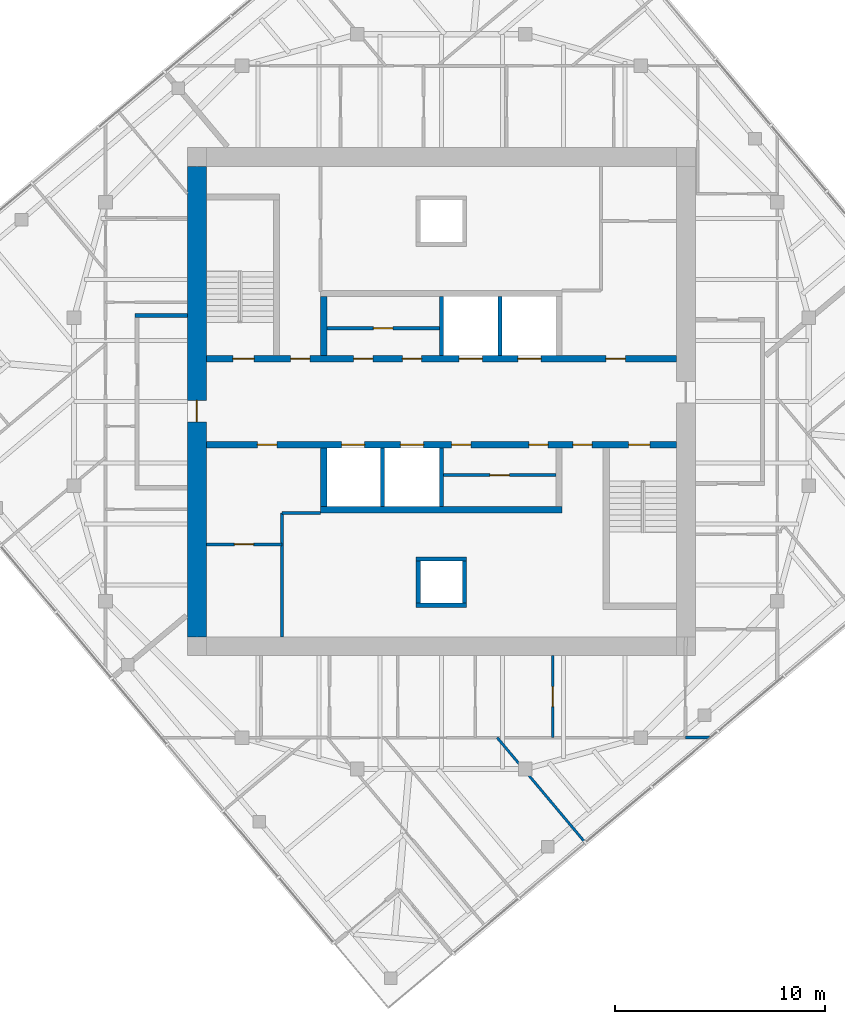
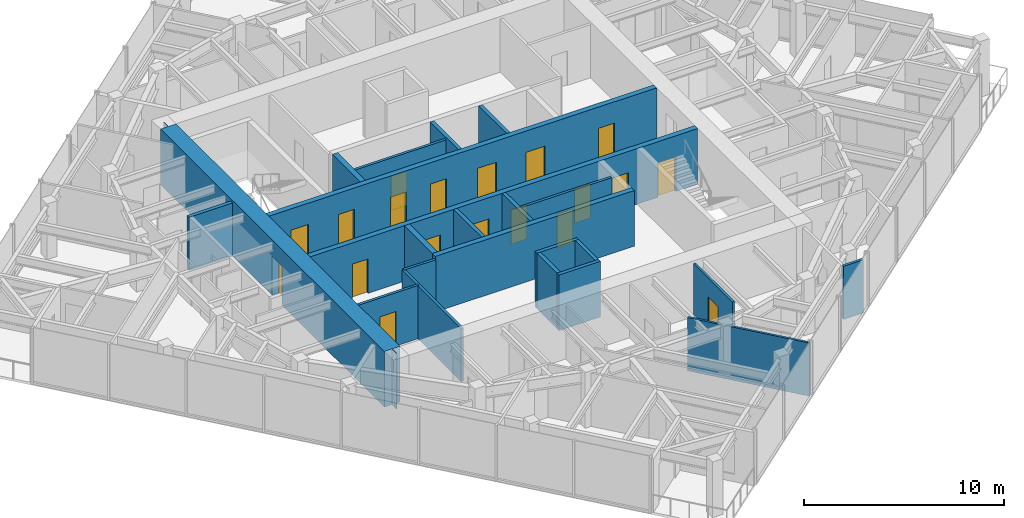
# One storey, part 8 of 12: 23 walls, 19 doors, 19 openings.
"""IFC4 building model written with IfcOpenShell, lengths in metres."""

from ifc_helpers import new_model, si_unit, direction, frame, frame_2d, origin, place, context, subcontext, project, spatial, polyline, rectangle, outline, extrude, material, layer, layer_set, type_object, element, fill, save


model = new_model("IFC4")

# Units and contexts
model_context = context("Model", 3, precision=1e-05, world=origin(), true_north=direction((0.0, 1.0)))
body_context = subcontext(model_context, "Body", "Model", "MODEL_VIEW")
ifc_project = project(units=[si_unit("LENGTHUNIT", "METRE"), si_unit("AREAUNIT", "SQUARE_METRE"), si_unit("VOLUMEUNIT", "CUBIC_METRE"), si_unit("PLANEANGLEUNIT", "RADIAN"), si_unit("MASSUNIT", "GRAM", prefix="KILO")], contexts=[model_context])

# Site, building, storey
site_placement = place(None, origin())
site = spatial("IfcSite", under=ifc_project, at=site_placement, CompositionType="ELEMENT")
building_placement = place(site_placement, origin())
building = spatial("IfcBuilding", under=site, at=building_placement, Name="Torsade Residences", CompositionType="ELEMENT")
storey_placement = place(building_placement, frame((0.0, 0.0, 289.60009765625)))
storey = spatial("IfcBuildingStorey", under=building, at=storey_placement, Name="L80", CompositionType="ELEMENT", Elevation=289.60009765625)

# Wall, openings, doors
ifc_material_1 = material(Name="Concrete 80 MPa", Category="concrete")
ifc_layer_1 = layer(ifc_material_1, 0.300048828125)
ifc_layer_set_1 = layer_set([ifc_layer_1], Name="Concrete 80 MPa")
wall_type_1 = type_object("IfcWallType", Name="CORE INTERNAL WALL 300", PredefinedType="SHEAR", material=ifc_layer_set_1)
wall_1_placement = place(storey_placement, frame((28.800048828125, 32.050048828125, 0.0), z_axis=(0.0, 0.0, 1.0), x_axis=(1.0, 0.0, 0.0)))
wall_1 = element("IfcWall", 1, at=wall_1_placement, inside=storey, type_object=wall_type_1, Name="Core wall LN L80", PredefinedType="SHEAR", context=body_context, shape_type="SweptSolid", body=[
    extrude(rectangle(XDim=22.39990234375, YDim=0.300048828125, at=frame_2d((11.199951171875, 0.0))), origin(), (0.0, 0.0, 1.0), 3.39990234375),
])
opening_1_placement = place(wall_1_placement, frame((19.0400390625, 0.0, 0.0)))
opening_1 = element("IfcOpeningElement", 2, at=opening_1_placement, cuts=wall_1, Name="Opening D06", PredefinedType="OPENING", context=body_context, shape_type="SweptSolid", body=[
    extrude(rectangle(XDim=0.919921875, YDim=2.10009765625, at=frame_2d((0.4599609375, 1.050048828125))), frame((0.0, 0.159912109375, 0.0), z_axis=(0.0, -1.0, 0.0), x_axis=(1.0, 0.0, 0.0)), (0.0, 0.0, 1.0), 0.320068359375),
])
opening_2_placement = place(wall_1_placement, frame((1.264892578125, 0.0, 0.0)))
opening_2 = element("IfcOpeningElement", 3, at=opening_2_placement, cuts=wall_1, Name="Opening D03", PredefinedType="OPENING", context=body_context, shape_type="SweptSolid", body=[
    extrude(rectangle(XDim=1.02001953125, YDim=2.10009765625, at=frame_2d((0.510009765625, 1.050048828125))), frame((0.0, 0.159912109375, 0.0), z_axis=(0.0, -1.0, 0.0), x_axis=(1.0, 0.0, 0.0)), (0.0, 0.0, 1.0), 0.320068359375),
])
opening_3_placement = place(wall_1_placement, frame((4.014892578125, 0.0, 0.0)))
opening_3 = element("IfcOpeningElement", 4, at=opening_3_placement, cuts=wall_1, Name="Opening D06", PredefinedType="OPENING", context=body_context, shape_type="SweptSolid", body=[
    extrude(rectangle(XDim=0.919921875, YDim=2.10009765625, at=frame_2d((0.4599609375, 1.050048828125))), frame((0.0, 0.159912109375, 0.0), z_axis=(0.0, -1.0, 0.0), x_axis=(1.0, 0.0, 0.0)), (0.0, 0.0, 1.0), 0.320068359375),
])
opening_4_placement = place(wall_1_placement, frame((7.014892578125, 0.0, 0.0)))
opening_4 = element("IfcOpeningElement", 5, at=opening_4_placement, cuts=wall_1, Name="Opening D06", PredefinedType="OPENING", context=body_context, shape_type="SweptSolid", body=[
    extrude(rectangle(XDim=0.919921875, YDim=2.10009765625, at=frame_2d((0.4599609375, 1.050048828125))), frame((0.0, 0.159912109375, 0.0), z_axis=(0.0, -1.0, 0.0), x_axis=(1.0, 0.0, 0.0)), (0.0, 0.0, 1.0), 0.320068359375),
])
opening_5_placement = place(wall_1_placement, frame((9.340087890625, 0.0, 0.0)))
opening_5 = element("IfcOpeningElement", 6, at=opening_5_placement, cuts=wall_1, Name="Opening D06", PredefinedType="OPENING", context=body_context, shape_type="SweptSolid", body=[
    extrude(rectangle(XDim=0.919921875, YDim=2.10009765625, at=frame_2d((0.4599609375, 1.050048828125))), frame((0.0, 0.159912109375, 0.0), z_axis=(0.0, -1.0, 0.0), x_axis=(1.0, 0.0, 0.0)), (0.0, 0.0, 1.0), 0.320068359375),
])
opening_6_placement = place(wall_1_placement, frame((12.050048828125, 0.0, 0.0)))
opening_6 = element("IfcOpeningElement", 7, at=opening_6_placement, cuts=wall_1, Name="Opening LD", PredefinedType="OPENING", context=body_context, shape_type="SweptSolid", body=[
    extrude(rectangle(XDim=1.10009765625, YDim=2.10009765625, at=frame_2d((0.550048828125, 1.050048828125))), frame((0.0, 0.159912109375, 0.0), z_axis=(0.0, -1.0, 0.0), x_axis=(1.0, 0.0, 0.0)), (0.0, 0.0, 1.0), 0.320068359375),
])
opening_7_placement = place(wall_1_placement, frame((14.85009765625, 0.0, 0.0)))
opening_7 = element("IfcOpeningElement", 8, at=opening_7_placement, cuts=wall_1, Name="Opening LD", PredefinedType="OPENING", context=body_context, shape_type="SweptSolid", body=[
    extrude(rectangle(XDim=1.10009765625, YDim=2.10009765625, at=frame_2d((0.550048828125, 1.050048828125))), frame((0.0, 0.159912109375, 0.0), z_axis=(0.0, -1.0, 0.0), x_axis=(1.0, 0.0, 0.0)), (0.0, 0.0, 1.0), 0.320068359375),
])
ifc_material_2 = material(Name="Steel-framed fire door", Category="steel")
door_type_1 = type_object("IfcDoorType", Name="FIRE DOOR 1020", OperationType="NOTDEFINED", PredefinedType="DOOR", material=ifc_material_2)
door_1_placement = place(opening_2_placement, origin())
door_1 = element("IfcDoor", 9, at=door_1_placement, inside=storey, type_object=door_type_1, Name="Exit door to fire-isolated stair ST1 L80", OperationType="SINGLE_SWING_RIGHT", OverallHeight=2.10009765625, OverallWidth=1.02001953125, PredefinedType="DOOR", context=body_context, shape_type="SweptSolid", body=[
    extrude(rectangle(XDim=1.02001953125, YDim=2.10009765625, at=frame_2d((0.510009765625, 1.050048828125))), frame((0.0, 0.02490234375, 0.0), z_axis=(0.0, -1.0, 0.0), x_axis=(1.0, 0.0, 0.0)), (0.0, 0.0, 1.0), 0.050048828125),
])
fill(opening_2, door_1)
ifc_material_3 = material(Name="Steel-framed fire door", Category="steel")
door_type_2 = type_object("IfcDoorType", Name="FIRE DOOR 920", OperationType="NOTDEFINED", PredefinedType="DOOR", material=ifc_material_3)
door_2_placement = place(opening_1_placement, origin())
door_2 = element("IfcDoor", 10, at=door_2_placement, inside=storey, type_object=door_type_2, Name="Door Lift lobby to Refuse room", OperationType="SINGLE_SWING_LEFT", OverallHeight=2.10009765625, OverallWidth=0.919921875, PredefinedType="DOOR", context=body_context, shape_type="SweptSolid", body=[
    extrude(rectangle(XDim=0.919921875, YDim=2.10009765625, at=frame_2d((0.4599609375, 1.050048828125))), frame((0.0, 0.02490234375, 0.0), z_axis=(0.0, -1.0, 0.0), x_axis=(1.0, 0.0, 0.0)), (0.0, 0.0, 1.0), 0.050048828125),
])
fill(opening_1, door_2)
door_3_placement = place(opening_3_placement, origin())
door_3 = element("IfcDoor", 11, at=door_3_placement, inside=storey, type_object=door_type_2, Name="Door Lift lobby to Meter store", OperationType="SINGLE_SWING_LEFT", OverallHeight=2.10009765625, OverallWidth=0.919921875, PredefinedType="DOOR", context=body_context, shape_type="SweptSolid", body=[
    extrude(rectangle(XDim=0.919921875, YDim=2.10009765625, at=frame_2d((0.4599609375, 1.050048828125))), frame((0.0, 0.02490234375, 0.0), z_axis=(0.0, -1.0, 0.0), x_axis=(1.0, 0.0, 0.0)), (0.0, 0.0, 1.0), 0.050048828125),
])
fill(opening_3, door_3)
door_4_placement = place(opening_4_placement, origin())
door_4 = element("IfcDoor", 12, at=door_4_placement, inside=storey, type_object=door_type_2, Name="Door Lift lobby to Communications room L80A", OperationType="SINGLE_SWING_RIGHT", OverallHeight=2.10009765625, OverallWidth=0.919921875, PredefinedType="DOOR", context=body_context, shape_type="SweptSolid", body=[
    extrude(rectangle(XDim=0.919921875, YDim=2.10009765625, at=frame_2d((0.4599609375, 1.050048828125))), frame((0.0, 0.02490234375, 0.0), z_axis=(0.0, -1.0, 0.0), x_axis=(1.0, 0.0, 0.0)), (0.0, 0.0, 1.0), 0.050048828125),
])
fill(opening_4, door_4)
door_5_placement = place(opening_5_placement, origin())
door_5 = element("IfcDoor", 13, at=door_5_placement, inside=storey, type_object=door_type_2, Name="Door Lift lobby to Communications room L80A", OperationType="SINGLE_SWING_RIGHT", OverallHeight=2.10009765625, OverallWidth=0.919921875, PredefinedType="DOOR", context=body_context, shape_type="SweptSolid", body=[
    extrude(rectangle(XDim=0.919921875, YDim=2.10009765625, at=frame_2d((0.4599609375, 1.050048828125))), frame((0.0, 0.02490234375, 0.0), z_axis=(0.0, -1.0, 0.0), x_axis=(1.0, 0.0, 0.0)), (0.0, 0.0, 1.0), 0.050048828125),
])
fill(opening_5, door_5)
ifc_material_4 = material(Name="Stainless steel lift landing door", Category="steel")
door_type_3 = type_object("IfcDoorType", Name="LIFT LANDING DOOR 1100", OperationType="SLIDING_TO_LEFT", PredefinedType="DOOR", material=ifc_material_4)
door_6_placement = place(opening_6_placement, origin())
door_6 = element("IfcDoor", 14, at=door_6_placement, inside=storey, type_object=door_type_3, Name="Lift LA3 landing door L80", OperationType="SLIDING_TO_LEFT", OverallHeight=2.10009765625, OverallWidth=1.10009765625, PredefinedType="DOOR", context=body_context, shape_type="SweptSolid", body=[
    extrude(rectangle(XDim=1.10009765625, YDim=2.10009765625, at=frame_2d((0.550048828125, 1.050048828125))), frame((0.0, 0.02490234375, 0.0), z_axis=(0.0, -1.0, 0.0), x_axis=(1.0, 0.0, 0.0)), (0.0, 0.0, 1.0), 0.050048828125),
])
fill(opening_6, door_6)
door_7_placement = place(opening_7_placement, origin())
door_7 = element("IfcDoor", 15, at=door_7_placement, inside=storey, type_object=door_type_3, Name="Lift FL1 landing door L80", OperationType="SLIDING_TO_LEFT", OverallHeight=2.10009765625, OverallWidth=1.10009765625, PredefinedType="DOOR", context=body_context, shape_type="SweptSolid", body=[
    extrude(rectangle(XDim=1.10009765625, YDim=2.10009765625, at=frame_2d((0.550048828125, 1.050048828125))), frame((0.0, 0.02490234375, 0.0), z_axis=(0.0, -1.0, 0.0), x_axis=(1.0, 0.0, 0.0)), (0.0, 0.0, 1.0), 0.050048828125),
])
fill(opening_7, door_7)

wall_2_placement = place(storey_placement, frame((51.199951171875, 27.949951171875, 0.0), z_axis=(0.0, 0.0, 1.0), x_axis=(-1.0, 0.0, 0.0)))
wall_2 = element("IfcWall", 16, at=wall_2_placement, inside=storey, type_object=wall_type_1, Name="Core wall LS L80", PredefinedType="SHEAR", context=body_context, shape_type="SweptSolid", body=[
    extrude(rectangle(XDim=22.39990234375, YDim=0.300048828125, at=frame_2d((11.199951171875, 0.0))), origin(), (0.0, 0.0, 1.0), 3.39990234375),
])
opening_8_placement = place(wall_2_placement, frame((19.0400390625, 0.0, 0.0)))
opening_8 = element("IfcOpeningElement", 17, at=opening_8_placement, cuts=wall_2, Name="Opening D06", PredefinedType="OPENING", context=body_context, shape_type="SweptSolid", body=[
    extrude(rectangle(XDim=0.919921875, YDim=2.10009765625, at=frame_2d((0.4599609375, 1.050048828125))), frame((0.0, 0.159912109375, 0.0), z_axis=(0.0, -1.0, 0.0), x_axis=(1.0, 0.0, 0.0)), (0.0, 0.0, 1.0), 0.320068359375),
])
opening_9_placement = place(wall_2_placement, frame((1.264892578125, 0.0, 0.0)))
opening_9 = element("IfcOpeningElement", 18, at=opening_9_placement, cuts=wall_2, Name="Opening D03", PredefinedType="OPENING", context=body_context, shape_type="SweptSolid", body=[
    extrude(rectangle(XDim=1.02001953125, YDim=2.10009765625, at=frame_2d((0.510009765625, 1.050048828125))), frame((0.0, 0.159912109375, 0.0), z_axis=(0.0, -1.0, 0.0), x_axis=(1.0, 0.0, 0.0)), (0.0, 0.0, 1.0), 0.320068359375),
])
opening_10_placement = place(wall_2_placement, frame((4.014892578125, 0.0, 0.0)))
opening_10 = element("IfcOpeningElement", 19, at=opening_10_placement, cuts=wall_2, Name="Opening D06", PredefinedType="OPENING", context=body_context, shape_type="SweptSolid", body=[
    extrude(rectangle(XDim=0.919921875, YDim=2.10009765625, at=frame_2d((0.4599609375, 1.050048828125))), frame((0.0, 0.159912109375, 0.0), z_axis=(0.0, -1.0, 0.0), x_axis=(1.0, 0.0, 0.0)), (0.0, 0.0, 1.0), 0.320068359375),
])
opening_11_placement = place(wall_2_placement, frame((9.7900390625, 0.0, 0.0)))
opening_11 = element("IfcOpeningElement", 20, at=opening_11_placement, cuts=wall_2, Name="Opening D06", PredefinedType="OPENING", context=body_context, shape_type="SweptSolid", body=[
    extrude(rectangle(XDim=0.919921875, YDim=2.10009765625, at=frame_2d((0.4599609375, 1.050048828125))), frame((0.0, 0.159912109375, 0.0), z_axis=(0.0, -1.0, 0.0), x_axis=(1.0, 0.0, 0.0)), (0.0, 0.0, 1.0), 0.320068359375),
])
opening_12_placement = place(wall_2_placement, frame((6.114990234375, 0.0, 0.0)))
opening_12 = element("IfcOpeningElement", 21, at=opening_12_placement, cuts=wall_2, Name="Opening D06", PredefinedType="OPENING", context=body_context, shape_type="SweptSolid", body=[
    extrude(rectangle(XDim=0.919921875, YDim=2.10009765625, at=frame_2d((0.4599609375, 1.050048828125))), frame((0.0, 0.159912109375, 0.0), z_axis=(0.0, -1.0, 0.0), x_axis=(1.0, 0.0, 0.0)), (0.0, 0.0, 1.0), 0.320068359375),
])
opening_13_placement = place(wall_2_placement, frame((12.050048828125, 0.0, 0.0)))
opening_13 = element("IfcOpeningElement", 22, at=opening_13_placement, cuts=wall_2, Name="Opening LD", PredefinedType="OPENING", context=body_context, shape_type="SweptSolid", body=[
    extrude(rectangle(XDim=1.10009765625, YDim=2.10009765625, at=frame_2d((0.550048828125, 1.050048828125))), frame((0.0, 0.159912109375, 0.0), z_axis=(0.0, -1.0, 0.0), x_axis=(1.0, 0.0, 0.0)), (0.0, 0.0, 1.0), 0.320068359375),
])
opening_14_placement = place(wall_2_placement, frame((14.85009765625, 0.0, 0.0)))
opening_14 = element("IfcOpeningElement", 23, at=opening_14_placement, cuts=wall_2, Name="Opening LD", PredefinedType="OPENING", context=body_context, shape_type="SweptSolid", body=[
    extrude(rectangle(XDim=1.10009765625, YDim=2.10009765625, at=frame_2d((0.550048828125, 1.050048828125))), frame((0.0, 0.159912109375, 0.0), z_axis=(0.0, -1.0, 0.0), x_axis=(1.0, 0.0, 0.0)), (0.0, 0.0, 1.0), 0.320068359375),
])
door_8_placement = place(opening_9_placement, origin())
door_8 = element("IfcDoor", 24, at=door_8_placement, inside=storey, type_object=door_type_1, Name="Exit door to fire-isolated stair ST2 L80", OperationType="SINGLE_SWING_RIGHT", OverallHeight=2.10009765625, OverallWidth=1.02001953125, PredefinedType="DOOR", context=body_context, shape_type="SweptSolid", body=[
    extrude(rectangle(XDim=1.02001953125, YDim=2.10009765625, at=frame_2d((0.510009765625, 1.050048828125))), frame((0.0, 0.02490234375, 0.0), z_axis=(0.0, -1.0, 0.0), x_axis=(1.0, 0.0, 0.0)), (0.0, 0.0, 1.0), 0.050048828125),
])
fill(opening_9, door_8)
door_9_placement = place(opening_8_placement, origin())
door_9 = element("IfcDoor", 25, at=door_9_placement, inside=storey, type_object=door_type_2, Name="Door Lift lobby to Cleaner store", OperationType="SINGLE_SWING_LEFT", OverallHeight=2.10009765625, OverallWidth=0.919921875, PredefinedType="DOOR", context=body_context, shape_type="SweptSolid", body=[
    extrude(rectangle(XDim=0.919921875, YDim=2.10009765625, at=frame_2d((0.4599609375, 1.050048828125))), frame((0.0, 0.02490234375, 0.0), z_axis=(0.0, -1.0, 0.0), x_axis=(1.0, 0.0, 0.0)), (0.0, 0.0, 1.0), 0.050048828125),
])
fill(opening_8, door_9)
door_10_placement = place(opening_10_placement, origin())
door_10 = element("IfcDoor", 26, at=door_10_placement, inside=storey, type_object=door_type_2, Name="Door Lift lobby to Communications riser room", OperationType="SINGLE_SWING_RIGHT", OverallHeight=2.10009765625, OverallWidth=0.919921875, PredefinedType="DOOR", context=body_context, shape_type="SweptSolid", body=[
    extrude(rectangle(XDim=0.919921875, YDim=2.10009765625, at=frame_2d((0.4599609375, 1.050048828125))), frame((0.0, 0.02490234375, 0.0), z_axis=(0.0, -1.0, 0.0), x_axis=(1.0, 0.0, 0.0)), (0.0, 0.0, 1.0), 0.050048828125),
])
fill(opening_10, door_10)
door_11_placement = place(opening_11_placement, origin())
door_11 = element("IfcDoor", 27, at=door_11_placement, inside=storey, type_object=door_type_2, Name="Door Lift lobby to IT equipment room L80C", OperationType="SINGLE_SWING_RIGHT", OverallHeight=2.10009765625, OverallWidth=0.919921875, PredefinedType="DOOR", context=body_context, shape_type="SweptSolid", body=[
    extrude(rectangle(XDim=0.919921875, YDim=2.10009765625, at=frame_2d((0.4599609375, 1.050048828125))), frame((0.0, 0.02490234375, 0.0), z_axis=(0.0, -1.0, 0.0), x_axis=(1.0, 0.0, 0.0)), (0.0, 0.0, 1.0), 0.050048828125),
])
fill(opening_11, door_11)
door_12_placement = place(opening_12_placement, origin())
door_12 = element("IfcDoor", 28, at=door_12_placement, inside=storey, type_object=door_type_2, Name="Door Lift lobby to IT equipment room L80C", OperationType="SINGLE_SWING_LEFT", OverallHeight=2.10009765625, OverallWidth=0.919921875, PredefinedType="DOOR", context=body_context, shape_type="SweptSolid", body=[
    extrude(rectangle(XDim=0.919921875, YDim=2.10009765625, at=frame_2d((0.4599609375, 1.050048828125))), frame((0.0, 0.02490234375, 0.0), z_axis=(0.0, -1.0, 0.0), x_axis=(1.0, 0.0, 0.0)), (0.0, 0.0, 1.0), 0.050048828125),
])
fill(opening_12, door_12)
door_13_placement = place(opening_13_placement, origin())
door_13 = element("IfcDoor", 29, at=door_13_placement, inside=storey, type_object=door_type_3, Name="Lift LB3 landing door L80", OperationType="SLIDING_TO_LEFT", OverallHeight=2.10009765625, OverallWidth=1.10009765625, PredefinedType="DOOR", context=body_context, shape_type="SweptSolid", body=[
    extrude(rectangle(XDim=1.10009765625, YDim=2.10009765625, at=frame_2d((0.550048828125, 1.050048828125))), frame((0.0, 0.02490234375, 0.0), z_axis=(0.0, -1.0, 0.0), x_axis=(1.0, 0.0, 0.0)), (0.0, 0.0, 1.0), 0.050048828125),
])
fill(opening_13, door_13)
door_14_placement = place(opening_14_placement, origin())
door_14 = element("IfcDoor", 30, at=door_14_placement, inside=storey, type_object=door_type_3, Name="Lift FL2 landing door L80", OperationType="SLIDING_TO_LEFT", OverallHeight=2.10009765625, OverallWidth=1.10009765625, PredefinedType="DOOR", context=body_context, shape_type="SweptSolid", body=[
    extrude(rectangle(XDim=1.10009765625, YDim=2.10009765625, at=frame_2d((0.550048828125, 1.050048828125))), frame((0.0, 0.02490234375, 0.0), z_axis=(0.0, -1.0, 0.0), x_axis=(1.0, 0.0, 0.0)), (0.0, 0.0, 1.0), 0.050048828125),
])
fill(opening_14, door_14)

# Walls
wall_3_placement = place(storey_placement, frame((45.75, 24.85009765625, 0.0), z_axis=(0.0, 0.0, 1.0), x_axis=(-1.0, 0.0, 0.0)))
element("IfcWall", 31, at=wall_3_placement, inside=storey, type_object=wall_type_1, Name="Core wall BS L80", PredefinedType="SHEAR", context=body_context, shape_type="SweptSolid", body=[
    extrude(rectangle(XDim=11.5, YDim=0.300048828125, at=frame_2d((5.75, 0.0))), origin(), (0.0, 0.0, 1.0), 3.39990234375),
])
for number, where, z_axis, x_axis, name in (
    (32, (34.39990234375, 32.199951171875, 0.0), (0.0, 0.0, 1.0), (0.0, 1.0, 0.0), "Core wall DN0 L80"),
    (33, (34.39990234375, 27.800048828125, 0.0), (0.0, 0.0, 1.0), (0.0, -1.0, 0.0), "Core wall DS4 L80"),
):
    element("IfcWall", number, at=place(storey_placement, frame(where, z_axis=z_axis, x_axis=x_axis)), inside=storey, type_object=wall_type_1, Name=name, PredefinedType="SHEAR", context=body_context, shape_type="SweptSolid", body=[
        extrude(rectangle(XDim=2.800048828125, YDim=0.300048828125, at=frame_2d((1.39990234375, 0.0))), origin(), (0.0, 0.0, 1.0), 3.39990234375),
    ])

# Wall, opening, door
ifc_material_5 = material(Name="Concrete 80 MPa", Category="concrete")
ifc_layer_2 = layer(ifc_material_5, 0.89990234375)
ifc_layer_set_2 = layer_set([ifc_layer_2], Name="Concrete 80 MPa")
wall_type_2 = type_object("IfcWallType", Name="CORE WALL 900", PredefinedType="SHEAR", material=ifc_layer_set_2)
wall_4_placement = place(storey_placement, frame((28.35009765625, 41.199951171875, 0.0), z_axis=(0.0, 0.0, 1.0), x_axis=(0.0, -1.0, 0.0)))
wall_4 = element("IfcWall", 34, at=wall_4_placement, inside=storey, type_object=wall_type_2, Name="Core wall W L80", PredefinedType="SHEAR", context=body_context, shape_type="SweptSolid", body=[
    extrude(outline(polyline([(0.0, -0.449951171875), (22.39990234375, -0.449951171875), (22.39990234375, -0.02490234375), (22.849853515625, -0.02490234375), (22.849853515625, 0.02490234375), (22.39990234375, 0.02490234375), (22.39990234375, 0.449951171875), (0.0, 0.449951171875), (0.0, 0.02490234375), (-0.449951171875, 0.02490234375), (-0.449951171875, -0.02490234375), (0.0, -0.02490234375), (0.0, -0.449951171875)])), origin(), (0.0, 0.0, 1.0), 3.39990234375),
])
opening_15_placement = place(wall_4_placement, frame((11.139892578125, 0.0, 0.0)))
opening_15 = element("IfcOpeningElement", 35, at=opening_15_placement, cuts=wall_4, Name="Opening D04", PredefinedType="OPENING", context=body_context, shape_type="SweptSolid", body=[
    extrude(rectangle(XDim=1.02001953125, YDim=2.39990234375, at=frame_2d((0.510009765625, 1.199951171875))), frame((0.0, 0.4599609375, 0.0), z_axis=(0.0, -1.0, 0.0), x_axis=(1.0, 0.0, 0.0)), (0.0, 0.0, 1.0), 0.919921875),
])
ifc_material_6 = material(Name="Steel-framed fire door", Category="steel")
door_type_4 = type_object("IfcDoorType", Name="LOBBY SMOKE DOOR 1020x2400", OperationType="NOTDEFINED", PredefinedType="DOOR", material=ifc_material_6)
door_15_placement = place(opening_15_placement, origin())
door_15 = element("IfcDoor", 36, at=door_15_placement, inside=storey, type_object=door_type_4, Name="Lift lobby door W L80", OperationType="SINGLE_SWING_RIGHT", OverallHeight=2.39990234375, OverallWidth=1.02001953125, PredefinedType="DOOR", context=body_context, shape_type="SweptSolid", body=[
    extrude(rectangle(XDim=1.02001953125, YDim=2.39990234375, at=frame_2d((0.510009765625, 1.199951171875))), frame((0.0, 0.02490234375, 0.0), z_axis=(0.0, -1.0, 0.0), x_axis=(1.0, 0.0, 0.0)), (0.0, 0.0, 1.0), 0.050048828125),
])
fill(opening_15, door_15)

# Walls
ifc_material_7 = material(Name="Plasterboard on steel stud", Category="steel")
ifc_layer_3 = layer(ifc_material_7, 0.199951171875)
ifc_layer_set_3 = layer_set([ifc_layer_3], Name="Plasterboard on steel stud")
wall_type_3 = type_object("IfcWallType", Name="CORRIDOR WALL 200", PredefinedType="PARTITIONING", material=ifc_layer_set_3)
wall_5_placement = place(storey_placement, frame((27.89990234375, 34.10009765625, 0.0), z_axis=(0.0, 0.0, 1.0), x_axis=(-1.0, 0.0, 0.0)))
element("IfcWall", 37, at=wall_5_placement, inside=storey, type_object=wall_type_3, Name="Corridor wall L80", PredefinedType="PARTITIONING", context=body_context, shape_type="SweptSolid", body=[
    extrude(rectangle(XDim=2.5, YDim=0.199951171875, at=frame_2d((1.25, 0.0))), origin(), (0.0, 0.0, 1.0), 3.25),
])
ifc_material_8 = material(Name="Reinforced blockwork", Category="masonry")
ifc_layer_4 = layer(ifc_material_8, 0.199951171875)
ifc_layer_set_4 = layer_set([ifc_layer_4], Name="Reinforced blockwork")
wall_type_4 = type_object("IfcWallType", Name="LIFT SHAFT DIVIDING WALL 200", PredefinedType="SOLIDWALL", material=ifc_layer_set_4)
for number, where, z_axis, x_axis, name in (
    (38, (40.0, 32.199951171875, 0.0), (0.0, 0.0, 1.0), (0.0, 1.0, 0.0), "Core wall DN2 L80"),
    (39, (40.0, 27.800048828125, 0.0), (0.0, 0.0, 1.0), (0.0, -1.0, 0.0), "Core wall DS2 L80"),
    (40, (42.800048828125, 32.199951171875, 0.0), (0.0, 0.0, 1.0), (0.0, 1.0, 0.0), "Core wall DN3 L80"),
    (41, (37.199951171875, 27.800048828125, 0.0), (0.0, 0.0, 1.0), (0.0, -1.0, 0.0), "Core wall DS3 L80"),
):
    element("IfcWall", number, at=place(storey_placement, frame(where, z_axis=z_axis, x_axis=x_axis)), inside=storey, type_object=wall_type_4, Name=name, PredefinedType="SOLIDWALL", context=body_context, shape_type="SweptSolid", body=[
        extrude(rectangle(XDim=2.800048828125, YDim=0.199951171875, at=frame_2d((1.39990234375, 0.0))), origin(), (0.0, 0.0, 1.0), 3.39990234375),
    ])

# Wall, opening, door
ifc_material_9 = material(Name="Plasterboard on steel stud", Category="steel")
ifc_layer_5 = layer(ifc_material_9, 0.1201171875)
ifc_layer_set_5 = layer_set([ifc_layer_5], Name="Plasterboard on steel stud")
wall_type_5 = type_object("IfcWallType", Name="PARTITION 120", PredefinedType="PARTITIONING", material=ifc_layer_set_5)
wall_6_placement = place(storey_placement, frame((45.30126953125, 17.89990234375, 0.0), z_axis=(0.0, 0.0, 1.0), x_axis=(0.0, -1.0, 0.0)))
wall_6 = element("IfcWall", 42, at=wall_6_placement, inside=storey, type_object=wall_type_5, Name="Partition L80", PredefinedType="PARTITIONING", context=body_context, shape_type="SweptSolid", body=[
    extrude(rectangle(XDim=3.89990234375, YDim=0.1201171875, at=frame_2d((1.949951171875, 0.0))), origin(), (0.0, 0.0, 1.0), 3.25),
])
opening_16_placement = place(wall_6_placement, frame((1.469970703125, 0.0, 0.0)))
opening_16 = element("IfcOpeningElement", 43, at=opening_16_placement, cuts=wall_6, Name="Opening D05", PredefinedType="OPENING", context=body_context, shape_type="SweptSolid", body=[
    extrude(rectangle(XDim=0.9599609375, YDim=2.10009765625, at=frame_2d((0.47998046875, 1.050048828125))), frame((0.0, 0.070068359375, 0.0), z_axis=(0.0, -1.0, 0.0), x_axis=(1.0, 0.0, 0.0)), (0.0, 0.0, 1.0), 0.14013671875),
])
ifc_material_10 = material(Name="Hollow-core timber door in a steel cavity frame", Category="steel")
door_type_5 = type_object("IfcDoorType", Name="BATHROOM CAVITY SLIDING DOOR 960", OperationType="SLIDING_TO_LEFT", PredefinedType="DOOR", material=ifc_material_10)
door_16_placement = place(opening_16_placement, origin())
door_16 = element("IfcDoor", 44, at=door_16_placement, inside=storey, type_object=door_type_5, Name="Door Walk-in robe to Ensuite", OperationType="SLIDING_TO_LEFT", OverallHeight=2.10009765625, OverallWidth=0.9599609375, PredefinedType="DOOR", context=body_context, shape_type="SweptSolid", body=[
    extrude(rectangle(XDim=0.9599609375, YDim=2.10009765625, at=frame_2d((0.47998046875, 1.050048828125))), frame((0.0, 0.02490234375, 0.0), z_axis=(0.0, -1.0, 0.0), x_axis=(1.0, 0.0, 0.0)), (0.0, 0.0, 1.0), 0.050048828125),
])
fill(opening_16, door_16)

# Walls
wall_7_placement = place(storey_placement, frame((42.656005859375, 14.0, 0.0), z_axis=(0.0, 0.0, 1.0), x_axis=(0.642779498388, -0.766051249233, 0.0)))
element("IfcWall", 45, at=wall_7_placement, inside=storey, type_object=wall_type_5, Name="Partition L80", PredefinedType="PARTITIONING", context=body_context, shape_type="SweptSolid", body=[
    extrude(rectangle(XDim=6.49609375, YDim=0.1201171875, at=frame_2d((3.248046875, 0.0))), origin(), (0.0, 0.0, 1.0), 3.25),
])
ifc_material_11 = material(Name="Reinforced blockwork", Category="masonry")
ifc_layer_6 = layer(ifc_material_11, 0.199951171875)
ifc_layer_set_6 = layer_set([ifc_layer_6], Name="Reinforced blockwork")
wall_type_6 = type_object("IfcWallType", Name="RISER SHAFT WALL 200", PredefinedType="SOLIDWALL", material=ifc_layer_set_6)
for number, where, z_axis, x_axis, name in (
    (46, (38.89990234375, 22.39990234375, 0.0), (0.0, 0.0, 1.0), (0.0, -1.0, 0.0), "Core wall RS2a L80"),
    (47, (41.10009765625, 22.39990234375, 0.0), (0.0, 0.0, 1.0), (0.0, -1.0, 0.0), "Core wall RS2b L80"),
):
    element("IfcWall", number, at=place(storey_placement, frame(where, z_axis=z_axis, x_axis=x_axis)), inside=storey, type_object=wall_type_6, Name=name, PredefinedType="SOLIDWALL", context=body_context, shape_type="SweptSolid", body=[
        extrude(rectangle(XDim=2.0, YDim=0.199951171875, at=frame_2d((1.0, 0.0))), origin(), (0.0, 0.0, 1.0), 3.39990234375),
    ])
for number, where, z_axis, x_axis, name in (
    (48, (38.800048828125, 22.5, 0.0), (0.0, 0.0, 1.0), (1.0, 0.0, 0.0), "Core wall RS2c L80"),
    (49, (38.800048828125, 20.300048828125, 0.0), (0.0, 0.0, 1.0), (1.0, 0.0, 0.0), "Core wall RS2d L80"),
):
    element("IfcWall", number, at=place(storey_placement, frame(where, z_axis=z_axis, x_axis=x_axis)), inside=storey, type_object=wall_type_6, Name=name, PredefinedType="SOLIDWALL", context=body_context, shape_type="SweptSolid", body=[
        extrude(rectangle(XDim=2.39990234375, YDim=0.199951171875, at=frame_2d((1.199951171875, 0.0))), origin(), (0.0, 0.0, 1.0), 3.39990234375),
    ])
ifc_material_12 = material(Name="Reinforced blockwork", Category="masonry")
ifc_layer_7 = layer(ifc_material_12, 0.14990234375)
ifc_layer_set_7 = layer_set([ifc_layer_7], Name="Reinforced blockwork")
wall_type_7 = type_object("IfcWallType", Name="SERVICE ROOM WALL 150", PredefinedType="SOLIDWALL", material=ifc_layer_set_7)
wall_8_placement = place(storey_placement, frame((32.39990234375, 18.800048828125, 0.0), z_axis=(0.0, 0.0, 1.0), x_axis=(0.0, 1.0, 0.0)))
element("IfcWall", 50, at=wall_8_placement, inside=storey, type_object=wall_type_7, Name="Service room wall L80", PredefinedType="SOLIDWALL", context=body_context, shape_type="SweptSolid", body=[
    extrude(rectangle(XDim=5.89990234375, YDim=0.14990234375, at=frame_2d((2.949951171875, 0.0))), origin(), (0.0, 0.0, 1.0), 3.25),
])
wall_9_placement = place(storey_placement, frame((32.39990234375, 24.699951171875, 0.0), z_axis=(0.0, 0.0, 1.0), x_axis=(1.0, 0.0, 0.0)))
element("IfcWall", 51, at=wall_9_placement, inside=storey, type_object=wall_type_7, Name="Service room wall L80", PredefinedType="SOLIDWALL", context=body_context, shape_type="SweptSolid", body=[
    extrude(rectangle(XDim=1.85009765625, YDim=0.14990234375, at=frame_2d((0.925048828125, 0.0))), origin(), (0.0, 0.0, 1.0), 3.25),
])

# Wall, opening, door
wall_10_placement = place(storey_placement, frame((32.39990234375, 23.199951171875, 0.0), z_axis=(0.0, 0.0, 1.0), x_axis=(-1.0, 0.0, 0.0)))
wall_10 = element("IfcWall", 52, at=wall_10_placement, inside=storey, type_object=wall_type_7, Name="Service room wall L80", PredefinedType="SOLIDWALL", context=body_context, shape_type="SweptSolid", body=[
    extrude(rectangle(XDim=3.599853515625, YDim=0.14990234375, at=frame_2d((1.7998046875, 0.0))), origin(), (0.0, 0.0, 1.0), 3.25),
])
opening_17_placement = place(wall_10_placement, frame((1.340087890625, 0.0, 0.0)))
opening_17 = element("IfcOpeningElement", 53, at=opening_17_placement, cuts=wall_10, Name="Opening D06", PredefinedType="OPENING", context=body_context, shape_type="SweptSolid", body=[
    extrude(rectangle(XDim=0.919921875, YDim=2.10009765625, at=frame_2d((0.4599609375, 1.050048828125))), frame((0.0, 0.0849609375, 0.0), z_axis=(0.0, -1.0, 0.0), x_axis=(1.0, 0.0, 0.0)), (0.0, 0.0, 1.0), 0.169921875),
])
door_17_placement = place(opening_17_placement, origin())
door_17 = element("IfcDoor", 54, at=door_17_placement, inside=storey, type_object=door_type_2, Name="Door Cleaner store to Sprinkler valve room", OperationType="SINGLE_SWING_LEFT", OverallHeight=2.10009765625, OverallWidth=0.919921875, PredefinedType="DOOR", context=body_context, shape_type="SweptSolid", body=[
    extrude(rectangle(XDim=0.919921875, YDim=2.10009765625, at=frame_2d((0.4599609375, 1.050048828125))), frame((0.0, 0.02490234375, 0.0), z_axis=(0.0, -1.0, 0.0), x_axis=(1.0, 0.0, 0.0)), (0.0, 0.0, 1.0), 0.050048828125),
])
fill(opening_17, door_17)

# Wall
wall_11_placement = place(storey_placement, frame((52.761962890625, 14.0, 0.0), z_axis=(0.0, 0.0, 1.0), x_axis=(-1.0, 0.0, 0.0)))
element("IfcWall", 55, at=wall_11_placement, inside=storey, type_object=wall_type_7, Name="Service room wall L80", PredefinedType="SOLIDWALL", context=body_context, shape_type="SweptSolid", body=[
    extrude(rectangle(XDim=1.13720703125, YDim=0.14990234375, at=frame_2d((0.568603515625, 0.0))), origin(), (0.0, 0.0, 1.0), 3.25),
])

# Wall, opening, door
wall_12_placement = place(storey_placement, frame((34.550048828125, 33.5, 0.0), z_axis=(0.0, 0.0, 1.0), x_axis=(1.0, 0.0, 0.0)))
wall_12 = element("IfcWall", 56, at=wall_12_placement, inside=storey, type_object=wall_type_7, Name="Service room wall L80", PredefinedType="SOLIDWALL", context=body_context, shape_type="SweptSolid", body=[
    extrude(rectangle(XDim=5.349853515625, YDim=0.14990234375, at=frame_2d((2.6748046875, 0.0))), origin(), (0.0, 0.0, 1.0), 3.25),
])
opening_18_placement = place(wall_12_placement, frame((2.215087890625, 0.0, 0.0)))
opening_18 = element("IfcOpeningElement", 57, at=opening_18_placement, cuts=wall_12, Name="Opening D06", PredefinedType="OPENING", context=body_context, shape_type="SweptSolid", body=[
    extrude(rectangle(XDim=0.919921875, YDim=2.10009765625, at=frame_2d((0.4599609375, 1.050048828125))), frame((0.0, 0.0849609375, 0.0), z_axis=(0.0, -1.0, 0.0), x_axis=(1.0, 0.0, 0.0)), (0.0, 0.0, 1.0), 0.169921875),
])
door_18_placement = place(opening_18_placement, origin())
door_18 = element("IfcDoor", 58, at=door_18_placement, inside=storey, type_object=door_type_2, Name="Door Communications room L80A to Records store L80B", OperationType="SINGLE_SWING_RIGHT", OverallHeight=2.10009765625, OverallWidth=0.919921875, PredefinedType="DOOR", context=body_context, shape_type="SweptSolid", body=[
    extrude(rectangle(XDim=0.919921875, YDim=2.10009765625, at=frame_2d((0.4599609375, 1.050048828125))), frame((0.0, 0.02490234375, 0.0), z_axis=(0.0, -1.0, 0.0), x_axis=(1.0, 0.0, 0.0)), (0.0, 0.0, 1.0), 0.050048828125),
])
fill(opening_18, door_18)

wall_13_placement = place(storey_placement, frame((40.10009765625, 26.5, 0.0), z_axis=(0.0, 0.0, 1.0), x_axis=(1.0, 0.0, 0.0)))
wall_13 = element("IfcWall", 59, at=wall_13_placement, inside=storey, type_object=wall_type_7, Name="Service room wall L80", PredefinedType="SOLIDWALL", context=body_context, shape_type="SweptSolid", body=[
    extrude(rectangle(XDim=5.349853515625, YDim=0.14990234375, at=frame_2d((2.6748046875, 0.0))), origin(), (0.0, 0.0, 1.0), 3.25),
])
opening_19_placement = place(wall_13_placement, frame((2.215087890625, 0.0, 0.0)))
opening_19 = element("IfcOpeningElement", 60, at=opening_19_placement, cuts=wall_13, Name="Opening D06", PredefinedType="OPENING", context=body_context, shape_type="SweptSolid", body=[
    extrude(rectangle(XDim=0.919921875, YDim=2.10009765625, at=frame_2d((0.4599609375, 1.050048828125))), frame((0.0, 0.0849609375, 0.0), z_axis=(0.0, -1.0, 0.0), x_axis=(1.0, 0.0, 0.0)), (0.0, 0.0, 1.0), 0.169921875),
])
door_19_placement = place(opening_19_placement, origin())
door_19 = element("IfcDoor", 61, at=door_19_placement, inside=storey, type_object=door_type_2, Name="Door IT equipment room L80C to Records store L80D", OperationType="SINGLE_SWING_LEFT", OverallHeight=2.10009765625, OverallWidth=0.919921875, PredefinedType="DOOR", context=body_context, shape_type="SweptSolid", body=[
    extrude(rectangle(XDim=0.919921875, YDim=2.10009765625, at=frame_2d((0.4599609375, 1.050048828125))), frame((0.0, 0.02490234375, 0.0), z_axis=(0.0, -1.0, 0.0), x_axis=(1.0, 0.0, 0.0)), (0.0, 0.0, 1.0), 0.050048828125),
])
fill(opening_19, door_19)

save(model, "model.ifc")
